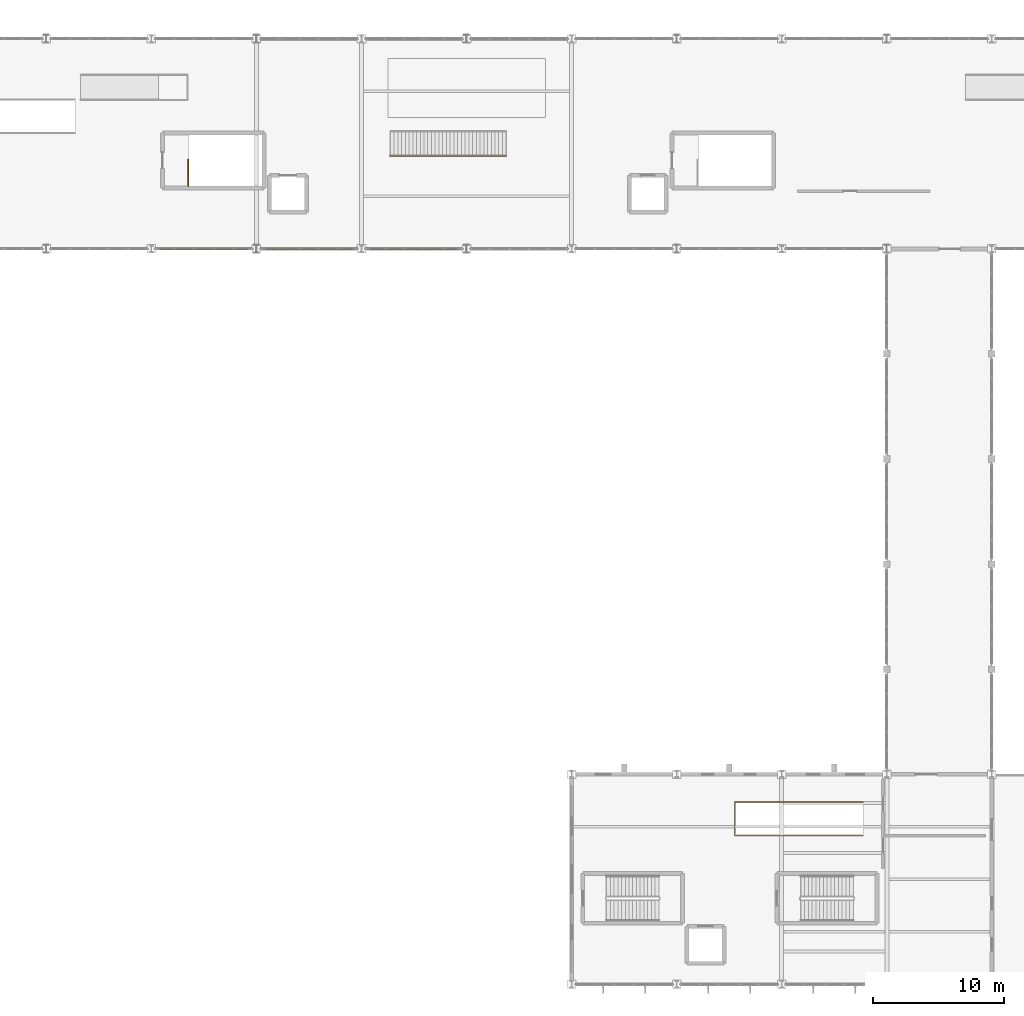
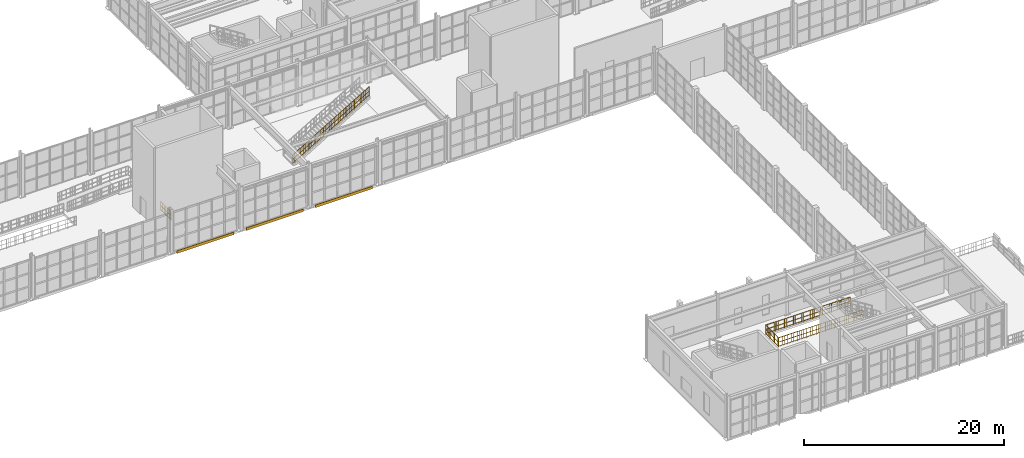
# One storey, part 77 of 82: 3 coverings, 3 railings.
"""IFC4 building model written with IfcOpenShell, lengths in metres."""

from ifc_helpers import new_model, si_unit, direction, frame, origin, origin_2d, place, context, subcontext, project, spatial, rectangle, extrude, material, layer, layer_set, type_object, element, save


model = new_model("IFC4")

# Units and contexts
model_context = context("Model", 3, precision=1e-05, world=origin(), true_north=direction((0.0, 1.0)))
body_context = subcontext(model_context, "Body", "Model", "MODEL_VIEW")
ifc_project = project(units=[si_unit("LENGTHUNIT", "METRE"), si_unit("AREAUNIT", "SQUARE_METRE"), si_unit("VOLUMEUNIT", "CUBIC_METRE"), si_unit("PLANEANGLEUNIT", "RADIAN"), si_unit("MASSUNIT", "GRAM", prefix="KILO")], contexts=[model_context])

# Site, building, storey
site_placement = place(None, origin())
site = spatial("IfcSite", under=ifc_project, at=site_placement, CompositionType="ELEMENT")
building_placement = place(site_placement, origin())
building = spatial("IfcBuilding", under=site, at=building_placement, Name="Serraluz Foothill Cableway Terminal", CompositionType="ELEMENT")
storey_placement = place(building_placement, frame((0.0, 0.0, 9.60009765625)))
storey = spatial("IfcBuildingStorey", under=building, at=storey_placement, Name="L02", CompositionType="ELEMENT", Elevation=9.60009765625)

# Coverings
ifc_material_1 = material(Name="Fired clay masonry brick (f'm 12 MPa)", Category="masonry")
ifc_layer_1 = layer(ifc_material_1, 0.090087890625, Name="Fired clay masonry brick (f'm 12 MPa)", Category="masonry")
ifc_layer_set_1 = layer_set([ifc_layer_1], Name="Fired clay masonry brick (f'm 12 MPa)")
covering_type = type_object("IfcCoveringType", Name="TYP-COV-CLAD-90", PredefinedType="CLADDING", material=ifc_layer_set_1)
for number, where, z_axis, x_axis, name in (
    (1, (68.0, 55.969970703125, -0.3203125), (0.0, 0.0, 1.0), (1.0, 0.0, 0.0), "Terracotta Spandrel Relief Band COV-CLAD-V1S-4"),
    (2, (76.0, 55.969970703125, -0.3203125), (0.0, 0.0, 1.0), (1.0, 0.0, 0.0), "Terracotta Spandrel Relief Band COV-CLAD-V1S-5"),
    (3, (84.0, 55.969970703125, -0.3203125), (0.0, 0.0, 1.0), (1.0, 0.0, 0.0), "Terracotta Spandrel Relief Band COV-CLAD-V1S-6"),
):
    element("IfcCovering", number, at=place(storey_placement, frame(where, z_axis=z_axis, x_axis=x_axis)), inside=storey, type_object=covering_type, Name=name, PredefinedType="CLADDING", context=body_context, shape_type="SweptSolid", body=[
        extrude(rectangle(XDim=6.60009765625, YDim=0.090087890625, at=origin_2d()), origin(), (0.0, 0.0, 1.0), 0.320068359375),
    ])

# Railings
ifc_material_2 = material(Name="Steel ASTM A572 Grade 50", Category="steel")
ifc_layer_2 = layer(ifc_material_2, 0.054931640625, Name="Steel ASTM A572 Grade 50", Category="steel")
ifc_layer_set_2 = layer_set([ifc_layer_2], Name="Steel ASTM A572 Grade 50")
railing_type = type_object("IfcRailingType", Name="TYP-RL-GRD-1150", PredefinedType="GUARDRAIL", material=ifc_layer_set_2)
railing_1_placement = place(storey_placement, frame((66.81005859375, 60.800048828125, 0.0)))
element("IfcRailing", 4, at=railing_1_placement, inside=storey, type_object=railing_type, Name="L02 ST-03 top well guard 1", PredefinedType="GUARDRAIL", context=body_context, shape_type="SweptSolid", body=[
    extrude(rectangle(XDim=0.048095703125, YDim=0.048095703125, at=origin_2d()), frame((0.0, 0.0, 1.1259765625), z_axis=(0.0, 1.0, 0.0), x_axis=(-1.0, 0.0, 0.0)), (0.0, 0.0, 1.0), 2.02001953125),
    extrude(rectangle(XDim=0.048095703125, YDim=0.048095703125, at=origin_2d()), frame((0.0, 0.0, 0.597900390625), z_axis=(0.0, 1.0, 0.0), x_axis=(-1.0, 0.0, 0.0)), (0.0, 0.0, 1.0), 2.02001953125),
    extrude(rectangle(XDim=0.048095703125, YDim=0.048095703125, at=origin_2d()), frame((0.0, 0.0, 0.1201171875), z_axis=(0.0, 1.0, 0.0), x_axis=(-1.0, 0.0, 0.0)), (0.0, 0.0, 1.0), 2.02001953125),
    extrude(rectangle(XDim=0.02001953125, YDim=0.02001953125, at=origin_2d()), frame((0.0, 0.25244140625, 0.1201171875)), (0.0, 0.0, 1.0), 0.981689453125),
    extrude(rectangle(XDim=0.02001953125, YDim=0.02001953125, at=origin_2d()), frame((0.0, 0.5048828125, 0.1201171875)), (0.0, 0.0, 1.0), 0.981689453125),
    extrude(rectangle(XDim=0.02001953125, YDim=0.02001953125, at=origin_2d()), frame((0.0, 0.757568359375, 0.1201171875)), (0.0, 0.0, 1.0), 0.981689453125),
    extrude(rectangle(XDim=0.02001953125, YDim=0.02001953125, at=origin_2d()), frame((0.0, 1.262451171875, 0.1201171875)), (0.0, 0.0, 1.0), 0.981689453125),
    extrude(rectangle(XDim=0.02001953125, YDim=0.02001953125, at=origin_2d()), frame((0.0, 1.51513671875, 0.1201171875)), (0.0, 0.0, 1.0), 0.981689453125),
    extrude(rectangle(XDim=0.02001953125, YDim=0.02001953125, at=origin_2d()), frame((0.0, 1.767578125, 0.1201171875)), (0.0, 0.0, 1.0), 0.981689453125),
    extrude(rectangle(XDim=0.0439453125, YDim=0.0439453125, at=origin_2d()), origin(), (0.0, 0.0, 1.0), 1.101806640625),
    extrude(rectangle(XDim=0.0439453125, YDim=0.0439453125, at=origin_2d()), frame((0.0, 1.010009765625, 0.0)), (0.0, 0.0, 1.0), 1.101806640625),
    extrude(rectangle(XDim=0.0439453125, YDim=0.0439453125, at=origin_2d()), frame((0.0, 2.02001953125, 0.0)), (0.0, 0.0, 1.0), 1.101806640625),
])
railing_2_placement = place(storey_placement, frame((82.199951171875, 63.050048828125, 0.168701171875)))
element("IfcRailing", 5, at=railing_2_placement, inside=storey, type_object=railing_type, Name="GUARDRAIL ST-F03-L", PredefinedType="GUARDRAIL", context=body_context, shape_type="SweptSolid", body=[
    extrude(rectangle(XDim=0.048095703125, YDim=0.048095703125, at=origin_2d()), frame((0.0, 0.0, 1.1259765625), z_axis=(0.860099270973, 0.0, 0.510126694138), x_axis=(0.0, 1.0, 0.0)), (0.0, 0.0, 1.0), 10.254638671875),
    extrude(rectangle(XDim=0.048095703125, YDim=0.048095703125, at=origin_2d()), frame((0.0, 0.0, 0.597900390625), z_axis=(0.860099270973, 0.0, 0.510126694138), x_axis=(0.0, 1.0, 0.0)), (0.0, 0.0, 1.0), 10.254638671875),
    extrude(rectangle(XDim=0.048095703125, YDim=0.048095703125, at=origin_2d()), frame((0.0, 0.0, 0.1201171875), z_axis=(0.860099270973, 0.0, 0.510126694138), x_axis=(0.0, 1.0, 0.0)), (0.0, 0.0, 1.0), 10.254638671875),
    extrude(rectangle(XDim=0.02001953125, YDim=0.02001953125, at=origin_2d()), frame((0.2099609375, 0.0, 0.24462890625)), (0.0, 0.0, 1.0), 0.981689453125),
    extrude(rectangle(XDim=0.02001953125, YDim=0.02001953125, at=origin_2d()), frame((0.419921875, 0.0, 0.369140625)), (0.0, 0.0, 1.0), 0.981689453125),
    extrude(rectangle(XDim=0.02001953125, YDim=0.02001953125, at=origin_2d()), frame((0.6298828125, 0.0, 0.49365234375)), (0.0, 0.0, 1.0), 0.981689453125),
    extrude(rectangle(XDim=0.02001953125, YDim=0.02001953125, at=origin_2d()), frame((1.050048828125, 0.0, 0.74267578125)), (0.0, 0.0, 1.0), 0.981689453125),
    extrude(rectangle(XDim=0.02001953125, YDim=0.02001953125, at=origin_2d()), frame((1.260009765625, 0.0, 0.867431640625)), (0.0, 0.0, 1.0), 0.981689453125),
    extrude(rectangle(XDim=0.02001953125, YDim=0.02001953125, at=origin_2d()), frame((1.469970703125, 0.0, 0.991943359375)), (0.0, 0.0, 1.0), 0.981689453125),
    extrude(rectangle(XDim=0.02001953125, YDim=0.02001953125, at=origin_2d()), frame((1.679931640625, 0.0, 1.116455078125)), (0.0, 0.0, 1.0), 0.981689453125),
    extrude(rectangle(XDim=0.02001953125, YDim=0.02001953125, at=origin_2d()), frame((1.89013671875, 0.0, 1.240966796875)), (0.0, 0.0, 1.0), 0.981689453125),
    extrude(rectangle(XDim=0.02001953125, YDim=0.02001953125, at=origin_2d()), frame((2.10009765625, 0.0, 1.365478515625)), (0.0, 0.0, 1.0), 0.981689453125),
    extrude(rectangle(XDim=0.02001953125, YDim=0.02001953125, at=origin_2d()), frame((2.31005859375, 0.0, 1.489990234375)), (0.0, 0.0, 1.0), 0.981689453125),
    extrude(rectangle(XDim=0.02001953125, YDim=0.02001953125, at=origin_2d()), frame((2.52001953125, 0.0, 1.61474609375)), (0.0, 0.0, 1.0), 0.981689453125),
    extrude(rectangle(XDim=0.02001953125, YDim=0.02001953125, at=origin_2d()), frame((2.72998046875, 0.0, 1.7392578125)), (0.0, 0.0, 1.0), 0.981689453125),
    extrude(rectangle(XDim=0.02001953125, YDim=0.02001953125, at=origin_2d()), frame((2.93994140625, 0.0, 1.86376953125)), (0.0, 0.0, 1.0), 0.981689453125),
    extrude(rectangle(XDim=0.02001953125, YDim=0.02001953125, at=origin_2d()), frame((3.14990234375, 0.0, 1.98828125)), (0.0, 0.0, 1.0), 0.981689453125),
    extrude(rectangle(XDim=0.02001953125, YDim=0.02001953125, at=origin_2d()), frame((3.360107421875, 0.0, 2.11279296875)), (0.0, 0.0, 1.0), 0.981689453125),
    extrude(rectangle(XDim=0.02001953125, YDim=0.02001953125, at=origin_2d()), frame((3.780029296875, 0.0, 2.362060546875)), (0.0, 0.0, 1.0), 0.981689453125),
    extrude(rectangle(XDim=0.02001953125, YDim=0.02001953125, at=origin_2d()), frame((3.989990234375, 0.0, 2.486572265625)), (0.0, 0.0, 1.0), 0.981689453125),
    extrude(rectangle(XDim=0.02001953125, YDim=0.02001953125, at=origin_2d()), frame((4.199951171875, 0.0, 2.611083984375)), (0.0, 0.0, 1.0), 0.981689453125),
    extrude(rectangle(XDim=0.02001953125, YDim=0.02001953125, at=origin_2d()), frame((4.6201171875, 0.0, 2.860107421875)), (0.0, 0.0, 1.0), 0.981689453125),
    extrude(rectangle(XDim=0.02001953125, YDim=0.02001953125, at=origin_2d()), frame((4.830078125, 0.0, 2.984619140625)), (0.0, 0.0, 1.0), 0.981689453125),
    extrude(rectangle(XDim=0.02001953125, YDim=0.02001953125, at=origin_2d()), frame((5.0400390625, 0.0, 3.109375)), (0.0, 0.0, 1.0), 0.981689453125),
    extrude(rectangle(XDim=0.02001953125, YDim=0.02001953125, at=origin_2d()), frame((5.4599609375, 0.0, 3.3583984375)), (0.0, 0.0, 1.0), 0.981689453125),
    extrude(rectangle(XDim=0.02001953125, YDim=0.02001953125, at=origin_2d()), frame((5.669921875, 0.0, 3.48291015625)), (0.0, 0.0, 1.0), 0.981689453125),
    extrude(rectangle(XDim=0.02001953125, YDim=0.02001953125, at=origin_2d()), frame((5.880126953125, 0.0, 3.607421875)), (0.0, 0.0, 1.0), 0.981689453125),
    extrude(rectangle(XDim=0.02001953125, YDim=0.02001953125, at=origin_2d()), frame((6.090087890625, 0.0, 3.73193359375)), (0.0, 0.0, 1.0), 0.981689453125),
    extrude(rectangle(XDim=0.02001953125, YDim=0.02001953125, at=origin_2d()), frame((6.300048828125, 0.0, 3.856689453125)), (0.0, 0.0, 1.0), 0.981689453125),
    extrude(rectangle(XDim=0.02001953125, YDim=0.02001953125, at=origin_2d()), frame((6.510009765625, 0.0, 3.981201171875)), (0.0, 0.0, 1.0), 0.981689453125),
    extrude(rectangle(XDim=0.02001953125, YDim=0.02001953125, at=origin_2d()), frame((6.719970703125, 0.0, 4.105712890625)), (0.0, 0.0, 1.0), 0.981689453125),
    extrude(rectangle(XDim=0.02001953125, YDim=0.02001953125, at=origin_2d()), frame((6.93017578125, 0.0, 4.230224609375)), (0.0, 0.0, 1.0), 0.981689453125),
    extrude(rectangle(XDim=0.02001953125, YDim=0.02001953125, at=origin_2d()), frame((7.14013671875, 0.0, 4.354736328125)), (0.0, 0.0, 1.0), 0.981689453125),
    extrude(rectangle(XDim=0.02001953125, YDim=0.02001953125, at=origin_2d()), frame((7.35009765625, 0.0, 4.479248046875)), (0.0, 0.0, 1.0), 0.981689453125),
    extrude(rectangle(XDim=0.02001953125, YDim=0.02001953125, at=origin_2d()), frame((7.56005859375, 0.0, 4.60400390625)), (0.0, 0.0, 1.0), 0.981689453125),
    extrude(rectangle(XDim=0.02001953125, YDim=0.02001953125, at=origin_2d()), frame((7.77001953125, 0.0, 4.728515625)), (0.0, 0.0, 1.0), 0.981689453125),
    extrude(rectangle(XDim=0.02001953125, YDim=0.02001953125, at=origin_2d()), frame((8.18994140625, 0.0, 4.9775390625)), (0.0, 0.0, 1.0), 0.981689453125),
    extrude(rectangle(XDim=0.02001953125, YDim=0.02001953125, at=origin_2d()), frame((8.400146484375, 0.0, 5.10205078125)), (0.0, 0.0, 1.0), 0.981689453125),
    extrude(rectangle(XDim=0.02001953125, YDim=0.02001953125, at=origin_2d()), frame((8.610107421875, 0.0, 5.2265625)), (0.0, 0.0, 1.0), 0.981689453125),
    extrude(rectangle(XDim=0.0439453125, YDim=0.0439453125, at=origin_2d()), origin(), (0.0, 0.0, 1.0), 1.101806640625),
    extrude(rectangle(XDim=0.0439453125, YDim=0.0439453125, at=origin_2d()), frame((0.882080078125, 0.0, 0.523193359375)), (0.0, 0.0, 1.0), 1.101806640625),
    extrude(rectangle(XDim=0.0439453125, YDim=0.0439453125, at=origin_2d()), frame((1.763916015625, 0.0, 1.046142578125)), (0.0, 0.0, 1.0), 1.101806640625),
    extrude(rectangle(XDim=0.0439453125, YDim=0.0439453125, at=origin_2d()), frame((2.64599609375, 0.0, 1.5693359375)), (0.0, 0.0, 1.0), 1.101806640625),
    extrude(rectangle(XDim=0.0439453125, YDim=0.0439453125, at=origin_2d()), frame((3.528076171875, 0.0, 2.092529296875)), (0.0, 0.0, 1.0), 1.101806640625),
    extrude(rectangle(XDim=0.0439453125, YDim=0.0439453125, at=origin_2d()), frame((4.41015625, 0.0, 2.61572265625)), (0.0, 0.0, 1.0), 1.101806640625),
    extrude(rectangle(XDim=0.0439453125, YDim=0.0439453125, at=origin_2d()), frame((5.2919921875, 0.0, 3.138671875)), (0.0, 0.0, 1.0), 1.101806640625),
    extrude(rectangle(XDim=0.0439453125, YDim=0.0439453125, at=origin_2d()), frame((6.174072265625, 0.0, 3.661865234375)), (0.0, 0.0, 1.0), 1.101806640625),
    extrude(rectangle(XDim=0.0439453125, YDim=0.0439453125, at=origin_2d()), frame((7.05615234375, 0.0, 4.18505859375)), (0.0, 0.0, 1.0), 1.101806640625),
    extrude(rectangle(XDim=0.0439453125, YDim=0.0439453125, at=origin_2d()), frame((7.93798828125, 0.0, 4.7080078125)), (0.0, 0.0, 1.0), 1.101806640625),
    extrude(rectangle(XDim=0.0439453125, YDim=0.0439453125, at=origin_2d()), frame((8.820068359375, 0.0, 5.231201171875)), (0.0, 0.0, 1.0), 1.101806640625),
])
railing_3_placement = place(storey_placement, frame((118.199951171875, 11.320068359375, 0.0)))
element("IfcRailing", 6, at=railing_3_placement, inside=storey, type_object=railing_type, Name="GUARDRAIL ST-F05 Upper Well", PredefinedType="GUARDRAIL", context=body_context, shape_type="SweptSolid", body=[
    extrude(rectangle(XDim=0.048095703125, YDim=0.048095703125, at=origin_2d()), frame((0.0, 0.0, 1.1259765625), z_axis=(-1.0, 0.0, 0.0), x_axis=(0.0, -1.0, 0.0)), (0.0, 0.0, 1.0), 9.780029296875),
    extrude(rectangle(XDim=0.048095703125, YDim=0.048095703125, at=origin_2d()), frame((0.0, 0.0, 0.597900390625), z_axis=(-1.0, 0.0, 0.0), x_axis=(0.0, -1.0, 0.0)), (0.0, 0.0, 1.0), 9.780029296875),
    extrude(rectangle(XDim=0.048095703125, YDim=0.048095703125, at=origin_2d()), frame((0.0, 0.0, 0.1201171875), z_axis=(-1.0, 0.0, 0.0), x_axis=(0.0, -1.0, 0.0)), (0.0, 0.0, 1.0), 9.780029296875),
    extrude(rectangle(XDim=0.02001953125, YDim=0.02001953125, at=origin_2d()), frame((-0.244384765625, 0.0, 0.1201171875)), (0.0, 0.0, 1.0), 0.981689453125),
    extrude(rectangle(XDim=0.02001953125, YDim=0.02001953125, at=origin_2d()), frame((-0.489013671875, 0.0, 0.1201171875)), (0.0, 0.0, 1.0), 0.981689453125),
    extrude(rectangle(XDim=0.02001953125, YDim=0.02001953125, at=origin_2d()), frame((-0.7333984375, 0.0, 0.1201171875)), (0.0, 0.0, 1.0), 0.981689453125),
    extrude(rectangle(XDim=0.02001953125, YDim=0.02001953125, at=origin_2d()), frame((-0.97802734375, 0.0, 0.1201171875)), (0.0, 0.0, 1.0), 0.981689453125),
    extrude(rectangle(XDim=0.02001953125, YDim=0.02001953125, at=origin_2d()), frame((-1.222412109375, 0.0, 0.1201171875)), (0.0, 0.0, 1.0), 0.981689453125),
    extrude(rectangle(XDim=0.02001953125, YDim=0.02001953125, at=origin_2d()), frame((-1.467041015625, 0.0, 0.1201171875)), (0.0, 0.0, 1.0), 0.981689453125),
    extrude(rectangle(XDim=0.02001953125, YDim=0.02001953125, at=origin_2d()), frame((-1.71142578125, 0.0, 0.1201171875)), (0.0, 0.0, 1.0), 0.981689453125),
    extrude(rectangle(XDim=0.02001953125, YDim=0.02001953125, at=origin_2d()), frame((-1.9560546875, 0.0, 0.1201171875)), (0.0, 0.0, 1.0), 0.981689453125),
    extrude(rectangle(XDim=0.02001953125, YDim=0.02001953125, at=origin_2d()), frame((-2.445068359375, 0.0, 0.1201171875)), (0.0, 0.0, 1.0), 0.981689453125),
    extrude(rectangle(XDim=0.02001953125, YDim=0.02001953125, at=origin_2d()), frame((-2.689453125, 0.0, 0.1201171875)), (0.0, 0.0, 1.0), 0.981689453125),
    extrude(rectangle(XDim=0.02001953125, YDim=0.02001953125, at=origin_2d()), frame((-2.93408203125, 0.0, 0.1201171875)), (0.0, 0.0, 1.0), 0.981689453125),
    extrude(rectangle(XDim=0.02001953125, YDim=0.02001953125, at=origin_2d()), frame((-3.178466796875, 0.0, 0.1201171875)), (0.0, 0.0, 1.0), 0.981689453125),
    extrude(rectangle(XDim=0.02001953125, YDim=0.02001953125, at=origin_2d()), frame((-3.423095703125, 0.0, 0.1201171875)), (0.0, 0.0, 1.0), 0.981689453125),
    extrude(rectangle(XDim=0.02001953125, YDim=0.02001953125, at=origin_2d()), frame((-3.66748046875, 0.0, 0.1201171875)), (0.0, 0.0, 1.0), 0.981689453125),
    extrude(rectangle(XDim=0.02001953125, YDim=0.02001953125, at=origin_2d()), frame((-3.912109375, 0.0, 0.1201171875)), (0.0, 0.0, 1.0), 0.981689453125),
    extrude(rectangle(XDim=0.02001953125, YDim=0.02001953125, at=origin_2d()), frame((-4.156494140625, 0.0, 0.1201171875)), (0.0, 0.0, 1.0), 0.981689453125),
    extrude(rectangle(XDim=0.02001953125, YDim=0.02001953125, at=origin_2d()), frame((-4.6455078125, 0.0, 0.1201171875)), (0.0, 0.0, 1.0), 0.981689453125),
    extrude(rectangle(XDim=0.02001953125, YDim=0.02001953125, at=origin_2d()), frame((-4.89013671875, 0.0, 0.1201171875)), (0.0, 0.0, 1.0), 0.981689453125),
    extrude(rectangle(XDim=0.02001953125, YDim=0.02001953125, at=origin_2d()), frame((-5.134521484375, 0.0, 0.1201171875)), (0.0, 0.0, 1.0), 0.981689453125),
    extrude(rectangle(XDim=0.02001953125, YDim=0.02001953125, at=origin_2d()), frame((-5.62353515625, 0.0, 0.1201171875)), (0.0, 0.0, 1.0), 0.981689453125),
    extrude(rectangle(XDim=0.02001953125, YDim=0.02001953125, at=origin_2d()), frame((-5.867919921875, 0.0, 0.1201171875)), (0.0, 0.0, 1.0), 0.981689453125),
    extrude(rectangle(XDim=0.02001953125, YDim=0.02001953125, at=origin_2d()), frame((-6.112548828125, 0.0, 0.1201171875)), (0.0, 0.0, 1.0), 0.981689453125),
    extrude(rectangle(XDim=0.02001953125, YDim=0.02001953125, at=origin_2d()), frame((-6.35693359375, 0.0, 0.1201171875)), (0.0, 0.0, 1.0), 0.981689453125),
    extrude(rectangle(XDim=0.02001953125, YDim=0.02001953125, at=origin_2d()), frame((-6.6015625, 0.0, 0.1201171875)), (0.0, 0.0, 1.0), 0.981689453125),
    extrude(rectangle(XDim=0.02001953125, YDim=0.02001953125, at=origin_2d()), frame((-6.845947265625, 0.0, 0.1201171875)), (0.0, 0.0, 1.0), 0.981689453125),
    extrude(rectangle(XDim=0.02001953125, YDim=0.02001953125, at=origin_2d()), frame((-7.090576171875, 0.0, 0.1201171875)), (0.0, 0.0, 1.0), 0.981689453125),
    extrude(rectangle(XDim=0.02001953125, YDim=0.02001953125, at=origin_2d()), frame((-7.3349609375, 0.0, 0.1201171875)), (0.0, 0.0, 1.0), 0.981689453125),
    extrude(rectangle(XDim=0.02001953125, YDim=0.02001953125, at=origin_2d()), frame((-7.823974609375, 0.0, 0.1201171875)), (0.0, 0.0, 1.0), 0.981689453125),
    extrude(rectangle(XDim=0.02001953125, YDim=0.02001953125, at=origin_2d()), frame((-8.068603515625, 0.0, 0.1201171875)), (0.0, 0.0, 1.0), 0.981689453125),
    extrude(rectangle(XDim=0.02001953125, YDim=0.02001953125, at=origin_2d()), frame((-8.31298828125, 0.0, 0.1201171875)), (0.0, 0.0, 1.0), 0.981689453125),
    extrude(rectangle(XDim=0.02001953125, YDim=0.02001953125, at=origin_2d()), frame((-8.5576171875, 0.0, 0.1201171875)), (0.0, 0.0, 1.0), 0.981689453125),
    extrude(rectangle(XDim=0.02001953125, YDim=0.02001953125, at=origin_2d()), frame((-8.802001953125, 0.0, 0.1201171875)), (0.0, 0.0, 1.0), 0.981689453125),
    extrude(rectangle(XDim=0.02001953125, YDim=0.02001953125, at=origin_2d()), frame((-9.046630859375, 0.0, 0.1201171875)), (0.0, 0.0, 1.0), 0.981689453125),
    extrude(rectangle(XDim=0.02001953125, YDim=0.02001953125, at=origin_2d()), frame((-9.291015625, 0.0, 0.1201171875)), (0.0, 0.0, 1.0), 0.981689453125),
    extrude(rectangle(XDim=0.02001953125, YDim=0.02001953125, at=origin_2d()), frame((-9.53564453125, 0.0, 0.1201171875)), (0.0, 0.0, 1.0), 0.981689453125),
    extrude(rectangle(XDim=0.048095703125, YDim=0.048095703125, at=origin_2d()), frame((-9.780029296875, 0.0, 1.1259765625), z_axis=(0.0, 1.0, 0.0), x_axis=(-1.0, 0.0, 0.0)), (0.0, 0.0, 1.0), 2.559814453125),
    extrude(rectangle(XDim=0.048095703125, YDim=0.048095703125, at=origin_2d()), frame((-9.780029296875, 0.0, 0.597900390625), z_axis=(0.0, 1.0, 0.0), x_axis=(-1.0, 0.0, 0.0)), (0.0, 0.0, 1.0), 2.559814453125),
    extrude(rectangle(XDim=0.048095703125, YDim=0.048095703125, at=origin_2d()), frame((-9.780029296875, 0.0, 0.1201171875), z_axis=(0.0, 1.0, 0.0), x_axis=(-1.0, 0.0, 0.0)), (0.0, 0.0, 1.0), 2.559814453125),
    extrude(rectangle(XDim=0.02001953125, YDim=0.02001953125, at=origin_2d()), frame((-9.780029296875, 0.255859375, 0.1201171875)), (0.0, 0.0, 1.0), 0.981689453125),
    extrude(rectangle(XDim=0.02001953125, YDim=0.02001953125, at=origin_2d()), frame((-9.780029296875, 0.511962890625, 0.1201171875)), (0.0, 0.0, 1.0), 0.981689453125),
    extrude(rectangle(XDim=0.02001953125, YDim=0.02001953125, at=origin_2d()), frame((-9.780029296875, 0.76806640625, 0.1201171875)), (0.0, 0.0, 1.0), 0.981689453125),
    extrude(rectangle(XDim=0.02001953125, YDim=0.02001953125, at=origin_2d()), frame((-9.780029296875, 1.02392578125, 0.1201171875)), (0.0, 0.0, 1.0), 0.981689453125),
    extrude(rectangle(XDim=0.02001953125, YDim=0.02001953125, at=origin_2d()), frame((-9.780029296875, 1.27978515625, 0.1201171875)), (0.0, 0.0, 1.0), 0.981689453125),
    extrude(rectangle(XDim=0.02001953125, YDim=0.02001953125, at=origin_2d()), frame((-9.780029296875, 1.535888671875, 0.1201171875)), (0.0, 0.0, 1.0), 0.981689453125),
    extrude(rectangle(XDim=0.02001953125, YDim=0.02001953125, at=origin_2d()), frame((-9.780029296875, 1.791748046875, 0.1201171875)), (0.0, 0.0, 1.0), 0.981689453125),
    extrude(rectangle(XDim=0.02001953125, YDim=0.02001953125, at=origin_2d()), frame((-9.780029296875, 2.0478515625, 0.1201171875)), (0.0, 0.0, 1.0), 0.981689453125),
    extrude(rectangle(XDim=0.02001953125, YDim=0.02001953125, at=origin_2d()), frame((-9.780029296875, 2.3037109375, 0.1201171875)), (0.0, 0.0, 1.0), 0.981689453125),
    extrude(rectangle(XDim=0.048095703125, YDim=0.048095703125, at=origin_2d()), frame((-9.780029296875, 2.559814453125, 1.1259765625), z_axis=(1.0, 0.0, 0.0), x_axis=(0.0, 1.0, 0.0)), (0.0, 0.0, 1.0), 9.780029296875),
    extrude(rectangle(XDim=0.048095703125, YDim=0.048095703125, at=origin_2d()), frame((-9.780029296875, 2.559814453125, 0.597900390625), z_axis=(1.0, 0.0, 0.0), x_axis=(0.0, 1.0, 0.0)), (0.0, 0.0, 1.0), 9.780029296875),
    extrude(rectangle(XDim=0.048095703125, YDim=0.048095703125, at=origin_2d()), frame((-9.780029296875, 2.559814453125, 0.1201171875), z_axis=(1.0, 0.0, 0.0), x_axis=(0.0, 1.0, 0.0)), (0.0, 0.0, 1.0), 9.780029296875),
    extrude(rectangle(XDim=0.02001953125, YDim=0.02001953125, at=origin_2d()), frame((-9.53564453125, 2.559814453125, 0.1201171875)), (0.0, 0.0, 1.0), 0.981689453125),
    extrude(rectangle(XDim=0.02001953125, YDim=0.02001953125, at=origin_2d()), frame((-9.291015625, 2.559814453125, 0.1201171875)), (0.0, 0.0, 1.0), 0.981689453125),
    extrude(rectangle(XDim=0.02001953125, YDim=0.02001953125, at=origin_2d()), frame((-9.046630859375, 2.559814453125, 0.1201171875)), (0.0, 0.0, 1.0), 0.981689453125),
    extrude(rectangle(XDim=0.02001953125, YDim=0.02001953125, at=origin_2d()), frame((-8.802001953125, 2.559814453125, 0.1201171875)), (0.0, 0.0, 1.0), 0.981689453125),
    extrude(rectangle(XDim=0.02001953125, YDim=0.02001953125, at=origin_2d()), frame((-8.5576171875, 2.559814453125, 0.1201171875)), (0.0, 0.0, 1.0), 0.981689453125),
    extrude(rectangle(XDim=0.02001953125, YDim=0.02001953125, at=origin_2d()), frame((-8.31298828125, 2.559814453125, 0.1201171875)), (0.0, 0.0, 1.0), 0.981689453125),
    extrude(rectangle(XDim=0.02001953125, YDim=0.02001953125, at=origin_2d()), frame((-8.068603515625, 2.559814453125, 0.1201171875)), (0.0, 0.0, 1.0), 0.981689453125),
    extrude(rectangle(XDim=0.02001953125, YDim=0.02001953125, at=origin_2d()), frame((-7.823974609375, 2.559814453125, 0.1201171875)), (0.0, 0.0, 1.0), 0.981689453125),
    extrude(rectangle(XDim=0.02001953125, YDim=0.02001953125, at=origin_2d()), frame((-7.3349609375, 2.559814453125, 0.1201171875)), (0.0, 0.0, 1.0), 0.981689453125),
    extrude(rectangle(XDim=0.02001953125, YDim=0.02001953125, at=origin_2d()), frame((-7.090576171875, 2.559814453125, 0.1201171875)), (0.0, 0.0, 1.0), 0.981689453125),
    extrude(rectangle(XDim=0.02001953125, YDim=0.02001953125, at=origin_2d()), frame((-6.845947265625, 2.559814453125, 0.1201171875)), (0.0, 0.0, 1.0), 0.981689453125),
    extrude(rectangle(XDim=0.02001953125, YDim=0.02001953125, at=origin_2d()), frame((-6.6015625, 2.559814453125, 0.1201171875)), (0.0, 0.0, 1.0), 0.981689453125),
    extrude(rectangle(XDim=0.02001953125, YDim=0.02001953125, at=origin_2d()), frame((-6.35693359375, 2.559814453125, 0.1201171875)), (0.0, 0.0, 1.0), 0.981689453125),
    extrude(rectangle(XDim=0.02001953125, YDim=0.02001953125, at=origin_2d()), frame((-6.112548828125, 2.559814453125, 0.1201171875)), (0.0, 0.0, 1.0), 0.981689453125),
    extrude(rectangle(XDim=0.02001953125, YDim=0.02001953125, at=origin_2d()), frame((-5.867919921875, 2.559814453125, 0.1201171875)), (0.0, 0.0, 1.0), 0.981689453125),
    extrude(rectangle(XDim=0.02001953125, YDim=0.02001953125, at=origin_2d()), frame((-5.62353515625, 2.559814453125, 0.1201171875)), (0.0, 0.0, 1.0), 0.981689453125),
    extrude(rectangle(XDim=0.02001953125, YDim=0.02001953125, at=origin_2d()), frame((-5.134521484375, 2.559814453125, 0.1201171875)), (0.0, 0.0, 1.0), 0.981689453125),
    extrude(rectangle(XDim=0.02001953125, YDim=0.02001953125, at=origin_2d()), frame((-4.89013671875, 2.559814453125, 0.1201171875)), (0.0, 0.0, 1.0), 0.981689453125),
    extrude(rectangle(XDim=0.02001953125, YDim=0.02001953125, at=origin_2d()), frame((-4.6455078125, 2.559814453125, 0.1201171875)), (0.0, 0.0, 1.0), 0.981689453125),
    extrude(rectangle(XDim=0.02001953125, YDim=0.02001953125, at=origin_2d()), frame((-4.156494140625, 2.559814453125, 0.1201171875)), (0.0, 0.0, 1.0), 0.981689453125),
    extrude(rectangle(XDim=0.02001953125, YDim=0.02001953125, at=origin_2d()), frame((-3.912109375, 2.559814453125, 0.1201171875)), (0.0, 0.0, 1.0), 0.981689453125),
    extrude(rectangle(XDim=0.02001953125, YDim=0.02001953125, at=origin_2d()), frame((-3.66748046875, 2.559814453125, 0.1201171875)), (0.0, 0.0, 1.0), 0.981689453125),
    extrude(rectangle(XDim=0.02001953125, YDim=0.02001953125, at=origin_2d()), frame((-3.423095703125, 2.559814453125, 0.1201171875)), (0.0, 0.0, 1.0), 0.981689453125),
    extrude(rectangle(XDim=0.02001953125, YDim=0.02001953125, at=origin_2d()), frame((-3.178466796875, 2.559814453125, 0.1201171875)), (0.0, 0.0, 1.0), 0.981689453125),
    extrude(rectangle(XDim=0.02001953125, YDim=0.02001953125, at=origin_2d()), frame((-2.93408203125, 2.559814453125, 0.1201171875)), (0.0, 0.0, 1.0), 0.981689453125),
    extrude(rectangle(XDim=0.02001953125, YDim=0.02001953125, at=origin_2d()), frame((-2.689453125, 2.559814453125, 0.1201171875)), (0.0, 0.0, 1.0), 0.981689453125),
    extrude(rectangle(XDim=0.02001953125, YDim=0.02001953125, at=origin_2d()), frame((-2.445068359375, 2.559814453125, 0.1201171875)), (0.0, 0.0, 1.0), 0.981689453125),
    extrude(rectangle(XDim=0.02001953125, YDim=0.02001953125, at=origin_2d()), frame((-1.9560546875, 2.559814453125, 0.1201171875)), (0.0, 0.0, 1.0), 0.981689453125),
    extrude(rectangle(XDim=0.02001953125, YDim=0.02001953125, at=origin_2d()), frame((-1.71142578125, 2.559814453125, 0.1201171875)), (0.0, 0.0, 1.0), 0.981689453125),
    extrude(rectangle(XDim=0.02001953125, YDim=0.02001953125, at=origin_2d()), frame((-1.467041015625, 2.559814453125, 0.1201171875)), (0.0, 0.0, 1.0), 0.981689453125),
    extrude(rectangle(XDim=0.02001953125, YDim=0.02001953125, at=origin_2d()), frame((-1.222412109375, 2.559814453125, 0.1201171875)), (0.0, 0.0, 1.0), 0.981689453125),
    extrude(rectangle(XDim=0.02001953125, YDim=0.02001953125, at=origin_2d()), frame((-0.97802734375, 2.559814453125, 0.1201171875)), (0.0, 0.0, 1.0), 0.981689453125),
    extrude(rectangle(XDim=0.02001953125, YDim=0.02001953125, at=origin_2d()), frame((-0.7333984375, 2.559814453125, 0.1201171875)), (0.0, 0.0, 1.0), 0.981689453125),
    extrude(rectangle(XDim=0.02001953125, YDim=0.02001953125, at=origin_2d()), frame((-0.489013671875, 2.559814453125, 0.1201171875)), (0.0, 0.0, 1.0), 0.981689453125),
    extrude(rectangle(XDim=0.02001953125, YDim=0.02001953125, at=origin_2d()), frame((-0.244384765625, 2.559814453125, 0.1201171875)), (0.0, 0.0, 1.0), 0.981689453125),
    extrude(rectangle(XDim=0.0439453125, YDim=0.0439453125, at=origin_2d()), origin(), (0.0, 0.0, 1.0), 1.101806640625),
    extrude(rectangle(XDim=0.0439453125, YDim=0.0439453125, at=origin_2d()), frame((-1.086669921875, 0.0, 0.0)), (0.0, 0.0, 1.0), 1.101806640625),
    extrude(rectangle(XDim=0.0439453125, YDim=0.0439453125, at=origin_2d()), frame((-2.17333984375, 0.0, 0.0)), (0.0, 0.0, 1.0), 1.101806640625),
    extrude(rectangle(XDim=0.0439453125, YDim=0.0439453125, at=origin_2d()), frame((-3.260009765625, 0.0, 0.0)), (0.0, 0.0, 1.0), 1.101806640625),
    extrude(rectangle(XDim=0.0439453125, YDim=0.0439453125, at=origin_2d()), frame((-4.3466796875, 0.0, 0.0)), (0.0, 0.0, 1.0), 1.101806640625),
    extrude(rectangle(XDim=0.0439453125, YDim=0.0439453125, at=origin_2d()), frame((-5.433349609375, 0.0, 0.0)), (0.0, 0.0, 1.0), 1.101806640625),
    extrude(rectangle(XDim=0.0439453125, YDim=0.0439453125, at=origin_2d()), frame((-6.52001953125, 0.0, 0.0)), (0.0, 0.0, 1.0), 1.101806640625),
    extrude(rectangle(XDim=0.0439453125, YDim=0.0439453125, at=origin_2d()), frame((-7.606689453125, 0.0, 0.0)), (0.0, 0.0, 1.0), 1.101806640625),
    extrude(rectangle(XDim=0.0439453125, YDim=0.0439453125, at=origin_2d()), frame((-8.693359375, 0.0, 0.0)), (0.0, 0.0, 1.0), 1.101806640625),
    extrude(rectangle(XDim=0.0439453125, YDim=0.0439453125, at=origin_2d()), frame((-9.780029296875, 0.0, 0.0)), (0.0, 0.0, 1.0), 1.101806640625),
    extrude(rectangle(XDim=0.0439453125, YDim=0.0439453125, at=origin_2d()), frame((-9.780029296875, 0.853271484375, 0.0)), (0.0, 0.0, 1.0), 1.101806640625),
    extrude(rectangle(XDim=0.0439453125, YDim=0.0439453125, at=origin_2d()), frame((-9.780029296875, 1.70654296875, 0.0)), (0.0, 0.0, 1.0), 1.101806640625),
    extrude(rectangle(XDim=0.0439453125, YDim=0.0439453125, at=origin_2d()), frame((-9.780029296875, 2.559814453125, 0.0)), (0.0, 0.0, 1.0), 1.101806640625),
    extrude(rectangle(XDim=0.0439453125, YDim=0.0439453125, at=origin_2d()), frame((-8.693359375, 2.559814453125, 0.0)), (0.0, 0.0, 1.0), 1.101806640625),
    extrude(rectangle(XDim=0.0439453125, YDim=0.0439453125, at=origin_2d()), frame((-7.606689453125, 2.559814453125, 0.0)), (0.0, 0.0, 1.0), 1.101806640625),
    extrude(rectangle(XDim=0.0439453125, YDim=0.0439453125, at=origin_2d()), frame((-6.52001953125, 2.559814453125, 0.0)), (0.0, 0.0, 1.0), 1.101806640625),
    extrude(rectangle(XDim=0.0439453125, YDim=0.0439453125, at=origin_2d()), frame((-5.433349609375, 2.559814453125, 0.0)), (0.0, 0.0, 1.0), 1.101806640625),
    extrude(rectangle(XDim=0.0439453125, YDim=0.0439453125, at=origin_2d()), frame((-4.3466796875, 2.559814453125, 0.0)), (0.0, 0.0, 1.0), 1.101806640625),
    extrude(rectangle(XDim=0.0439453125, YDim=0.0439453125, at=origin_2d()), frame((-3.260009765625, 2.559814453125, 0.0)), (0.0, 0.0, 1.0), 1.101806640625),
    extrude(rectangle(XDim=0.0439453125, YDim=0.0439453125, at=origin_2d()), frame((-2.17333984375, 2.559814453125, 0.0)), (0.0, 0.0, 1.0), 1.101806640625),
    extrude(rectangle(XDim=0.0439453125, YDim=0.0439453125, at=origin_2d()), frame((-1.086669921875, 2.559814453125, 0.0)), (0.0, 0.0, 1.0), 1.101806640625),
    extrude(rectangle(XDim=0.0439453125, YDim=0.0439453125, at=origin_2d()), frame((0.0, 2.559814453125, 0.0)), (0.0, 0.0, 1.0), 1.101806640625),
])

save(model, "model.ifc")
